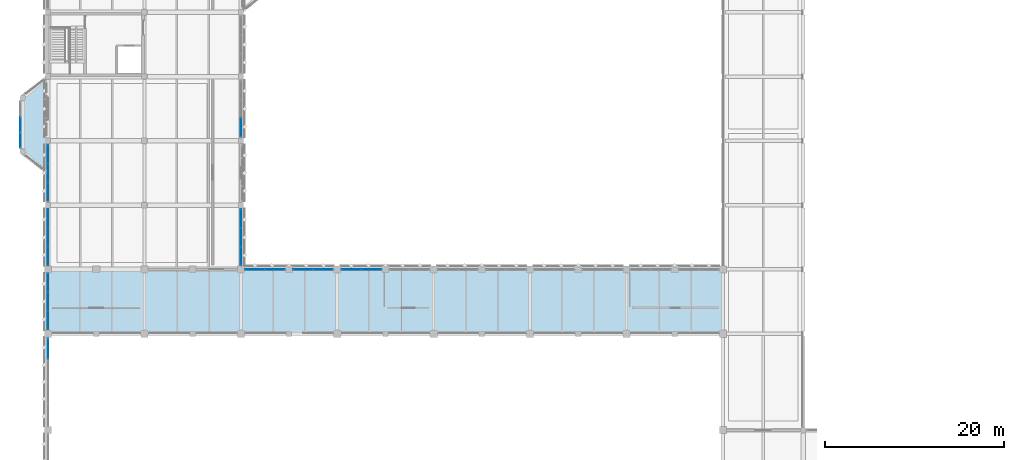
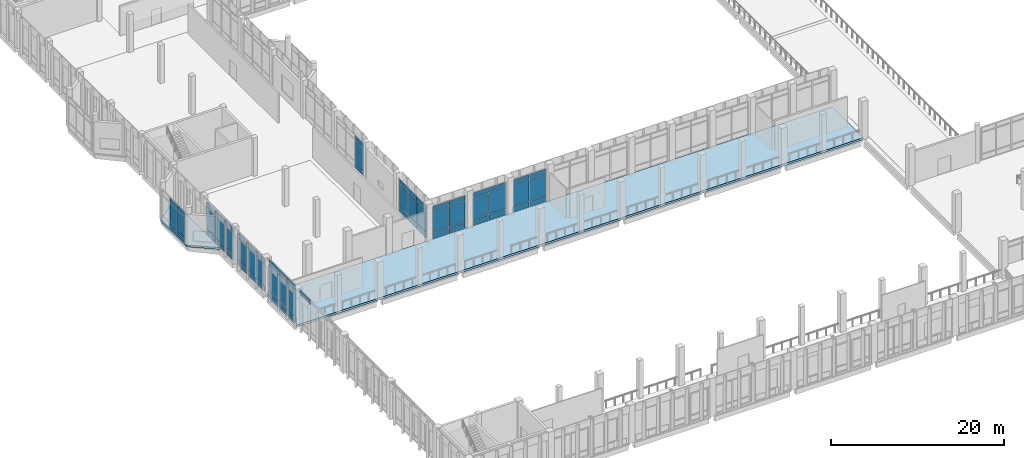
# One storey, part 140 of 180: 64 plates, 2 slabs, 10 elements without a shape of their own.
"""IFC4 building model written with IfcOpenShell, lengths in metres."""

from ifc_helpers import new_model, si_unit, direction, frame, origin, origin_2d, place, context, subcontext, project, spatial, polyline, rectangle, outline, extrude, material, layer, layer_set, type_object, element, aggregate, save


model = new_model("IFC4")

# Units and contexts
model_context = context("Model", 3, precision=1e-05, world=origin(), true_north=direction((0.0, 1.0)))
body_context = subcontext(model_context, "Body", "Model", "MODEL_VIEW")
ifc_project = project(units=[si_unit("LENGTHUNIT", "METRE"), si_unit("AREAUNIT", "SQUARE_METRE"), si_unit("VOLUMEUNIT", "CUBIC_METRE"), si_unit("PLANEANGLEUNIT", "RADIAN"), si_unit("MASSUNIT", "GRAM", prefix="KILO")], contexts=[model_context])

# Site, building, storey
site_placement = place(None, origin())
site = spatial("IfcSite", under=ifc_project, at=site_placement, CompositionType="ELEMENT")
building_placement = place(site_placement, origin())
building = spatial("IfcBuilding", under=site, at=building_placement, Name="Lusvemor Sports Hall", CompositionType="ELEMENT")
storey_placement = place(building_placement, frame((0.0, 0.0, 5.39990234375)))
storey = spatial("IfcBuildingStorey", under=building, at=storey_placement, Name="L01", CompositionType="ELEMENT", Elevation=5.39990234375)

# Curtain wall, plates
ifc_material_1 = material(Name="Thermally broken bronze-anodized aluminium", Category="aluminium")
curtain_wall_type_1 = type_object("IfcCurtainWallType", Name="CW_COURT_C", PredefinedType="NOTDEFINED", material=ifc_material_1)
curtain_wall_1_placement = place(storey_placement, origin())
curtain_wall_1 = element("IfcCurtainWall", 1, at=curtain_wall_1_placement, inside=storey, type_object=curtain_wall_type_1, Name="Curtain Wall CW-V1N-L01-2-A", PredefinedType="NOTDEFINED")
ifc_material_2 = material(Name="Solar-control laminated double glazing", Category="glass")
ifc_layer_1 = layer(ifc_material_2, 0.028076171875)
ifc_layer_set_1 = layer_set([ifc_layer_1], Name="Solar-control laminated double glazing")
plate_type_1 = type_object("IfcPlateType", Name="CW_PAN_GLZ_28", PredefinedType="CURTAIN_PANEL", material=ifc_layer_set_1)
plate_1_placement = place(storey_placement, frame((23.18115234375, 46.800048828125, 0.880126953125), z_axis=(0.0, 0.0, 1.0), x_axis=(1.0, 0.0, 0.0)))
plate_1 = element("IfcPlate", 2, at=plate_1_placement, type_object=plate_type_1, Name="CW03 panel 1.2", PredefinedType="CURTAIN_PANEL", context=body_context, shape_type="SweptSolid", body=[
    extrude(rectangle(XDim=2.172607421875, YDim=0.028076171875, at=origin_2d()), origin(), (0.0, 0.0, 1.0), 3.0400390625),
])
plate_2_placement = place(storey_placement, frame((23.18115234375, 46.800048828125, 3.97998046875), z_axis=(0.0, 0.0, 1.0), x_axis=(1.0, 0.0, 0.0)))
plate_2 = element("IfcPlate", 3, at=plate_2_placement, type_object=plate_type_1, Name="CW03 panel 1.3", PredefinedType="CURTAIN_PANEL", context=body_context, shape_type="SweptSolid", body=[
    extrude(rectangle(XDim=2.172607421875, YDim=0.028076171875, at=origin_2d()), origin(), (0.0, 0.0, 1.0), 0.659912109375),
])
plate_3_placement = place(storey_placement, frame((25.418701171875, 46.800048828125, 0.880126953125), z_axis=(0.0, 0.0, 1.0), x_axis=(1.0, 0.0, 0.0)))
plate_3 = element("IfcPlate", 4, at=plate_3_placement, type_object=plate_type_1, Name="CW03 panel 2.2", PredefinedType="CURTAIN_PANEL", context=body_context, shape_type="SweptSolid", body=[
    extrude(rectangle(XDim=2.172607421875, YDim=0.028076171875, at=origin_2d()), origin(), (0.0, 0.0, 1.0), 3.0400390625),
])
plate_4_placement = place(storey_placement, frame((25.418701171875, 46.800048828125, 3.97998046875), z_axis=(0.0, 0.0, 1.0), x_axis=(1.0, 0.0, 0.0)))
plate_4 = element("IfcPlate", 5, at=plate_4_placement, type_object=plate_type_1, Name="CW03 panel 2.3", PredefinedType="CURTAIN_PANEL", context=body_context, shape_type="SweptSolid", body=[
    extrude(rectangle(XDim=2.172607421875, YDim=0.028076171875, at=origin_2d()), origin(), (0.0, 0.0, 1.0), 0.659912109375),
])

curtain_wall_2_placement = place(storey_placement, origin())
curtain_wall_2 = element("IfcCurtainWall", 6, at=curtain_wall_2_placement, inside=storey, type_object=curtain_wall_type_1, Name="Curtain Wall CW-V1N-L01-2-B", PredefinedType="NOTDEFINED")
plate_5_placement = place(storey_placement, frame((28.581298828125, 46.800048828125, 0.880126953125), z_axis=(0.0, 0.0, 1.0), x_axis=(1.0, 0.0, 0.0)))
plate_5 = element("IfcPlate", 7, at=plate_5_placement, type_object=plate_type_1, Name="CW03 panel 1.2", PredefinedType="CURTAIN_PANEL", context=body_context, shape_type="SweptSolid", body=[
    extrude(rectangle(XDim=2.172607421875, YDim=0.028076171875, at=origin_2d()), origin(), (0.0, 0.0, 1.0), 3.0400390625),
])
plate_6_placement = place(storey_placement, frame((28.581298828125, 46.800048828125, 3.97998046875), z_axis=(0.0, 0.0, 1.0), x_axis=(1.0, 0.0, 0.0)))
plate_6 = element("IfcPlate", 8, at=plate_6_placement, type_object=plate_type_1, Name="CW03 panel 1.3", PredefinedType="CURTAIN_PANEL", context=body_context, shape_type="SweptSolid", body=[
    extrude(rectangle(XDim=2.172607421875, YDim=0.028076171875, at=origin_2d()), origin(), (0.0, 0.0, 1.0), 0.659912109375),
])
plate_7_placement = place(storey_placement, frame((30.81884765625, 46.800048828125, 0.880126953125), z_axis=(0.0, 0.0, 1.0), x_axis=(1.0, 0.0, 0.0)))
plate_7 = element("IfcPlate", 9, at=plate_7_placement, type_object=plate_type_1, Name="CW03 panel 2.2", PredefinedType="CURTAIN_PANEL", context=body_context, shape_type="SweptSolid", body=[
    extrude(rectangle(XDim=2.172607421875, YDim=0.028076171875, at=origin_2d()), origin(), (0.0, 0.0, 1.0), 3.0400390625),
])
plate_8_placement = place(storey_placement, frame((30.81884765625, 46.800048828125, 3.97998046875), z_axis=(0.0, 0.0, 1.0), x_axis=(1.0, 0.0, 0.0)))
plate_8 = element("IfcPlate", 10, at=plate_8_placement, type_object=plate_type_1, Name="CW03 panel 2.3", PredefinedType="CURTAIN_PANEL", context=body_context, shape_type="SweptSolid", body=[
    extrude(rectangle(XDim=2.172607421875, YDim=0.028076171875, at=origin_2d()), origin(), (0.0, 0.0, 1.0), 0.659912109375),
])

curtain_wall_3_placement = place(storey_placement, origin())
curtain_wall_3 = element("IfcCurtainWall", 11, at=curtain_wall_3_placement, inside=storey, type_object=curtain_wall_type_1, Name="Curtain Wall CW-V1N-L01-3-A", PredefinedType="NOTDEFINED")
plate_9_placement = place(storey_placement, frame((33.981201171875, 46.800048828125, 0.880126953125), z_axis=(0.0, 0.0, 1.0), x_axis=(1.0, 0.0, 0.0)))
plate_9 = element("IfcPlate", 12, at=plate_9_placement, type_object=plate_type_1, Name="CW03 panel 1.2", PredefinedType="CURTAIN_PANEL", context=body_context, shape_type="SweptSolid", body=[
    extrude(rectangle(XDim=2.172607421875, YDim=0.028076171875, at=origin_2d()), origin(), (0.0, 0.0, 1.0), 3.0400390625),
])
plate_10_placement = place(storey_placement, frame((33.981201171875, 46.800048828125, 3.97998046875), z_axis=(0.0, 0.0, 1.0), x_axis=(1.0, 0.0, 0.0)))
plate_10 = element("IfcPlate", 13, at=plate_10_placement, type_object=plate_type_1, Name="CW03 panel 1.3", PredefinedType="CURTAIN_PANEL", context=body_context, shape_type="SweptSolid", body=[
    extrude(rectangle(XDim=2.172607421875, YDim=0.028076171875, at=origin_2d()), origin(), (0.0, 0.0, 1.0), 0.659912109375),
])
plate_11_placement = place(storey_placement, frame((36.21875, 46.800048828125, 0.880126953125), z_axis=(0.0, 0.0, 1.0), x_axis=(1.0, 0.0, 0.0)))
plate_11 = element("IfcPlate", 14, at=plate_11_placement, type_object=plate_type_1, Name="CW03 panel 2.2", PredefinedType="CURTAIN_PANEL", context=body_context, shape_type="SweptSolid", body=[
    extrude(rectangle(XDim=2.172607421875, YDim=0.028076171875, at=origin_2d()), origin(), (0.0, 0.0, 1.0), 3.0400390625),
])
plate_12_placement = place(storey_placement, frame((36.21875, 46.800048828125, 3.97998046875), z_axis=(0.0, 0.0, 1.0), x_axis=(1.0, 0.0, 0.0)))
plate_12 = element("IfcPlate", 15, at=plate_12_placement, type_object=plate_type_1, Name="CW03 panel 2.3", PredefinedType="CURTAIN_PANEL", context=body_context, shape_type="SweptSolid", body=[
    extrude(rectangle(XDim=2.172607421875, YDim=0.028076171875, at=origin_2d()), origin(), (0.0, 0.0, 1.0), 0.659912109375),
])

# Curtain wall, plate
curtain_wall_4_placement = place(storey_placement, origin())
curtain_wall_4 = element("IfcCurtainWall", 16, at=curtain_wall_4_placement, inside=storey, type_object=curtain_wall_type_1, Name="Curtain Wall CW-V1W-L01-4", PredefinedType="NOTDEFINED")
plate_13_placement = place(storey_placement, frame((0.0, 37.909912109375, 4.63232421875), z_axis=(0.0, 0.0, 1.0), x_axis=(0.0, 1.0, 0.0)))
plate_13 = element("IfcPlate", 17, at=plate_13_placement, type_object=plate_type_1, Name="CW03 panel 4.3", PredefinedType="CURTAIN_PANEL", context=body_context, shape_type="SweptSolid", body=[
    extrude(rectangle(XDim=2.3798828125, YDim=0.028076171875, at=origin_2d()), origin(), (0.0, 0.0, 1.0), 0.652587890625),
])
aggregate(curtain_wall_4, [plate_13])

# Curtain wall, plates
curtain_wall_5_placement = place(storey_placement, origin())
curtain_wall_5 = element("IfcCurtainWall", 18, at=curtain_wall_5_placement, inside=storey, type_object=curtain_wall_type_1, Name="Curtain Wall CW-V1W-L01-5", PredefinedType="NOTDEFINED")
plate_14_placement = place(storey_placement, frame((0.0, 41.104248046875, 0.882568359375), z_axis=(0.0, 0.0, 1.0), x_axis=(0.0, 1.0, 0.0)))
plate_14 = element("IfcPlate", 19, at=plate_14_placement, type_object=plate_type_1, Name="CW03 panel 1.2", PredefinedType="CURTAIN_PANEL", context=body_context, shape_type="SweptSolid", body=[
    extrude(rectangle(XDim=2.00830078125, YDim=0.028076171875, at=origin_2d()), origin(), (0.0, 0.0, 1.0), 3.68505859375),
])
plate_15_placement = place(storey_placement, frame((0.0, 41.104248046875, 4.63232421875), z_axis=(0.0, 0.0, 1.0), x_axis=(0.0, 1.0, 0.0)))
plate_15 = element("IfcPlate", 20, at=plate_15_placement, type_object=plate_type_1, Name="CW03 panel 1.3", PredefinedType="CURTAIN_PANEL", context=body_context, shape_type="SweptSolid", body=[
    extrude(rectangle(XDim=2.00830078125, YDim=0.028076171875, at=origin_2d()), origin(), (0.0, 0.0, 1.0), 0.652587890625),
])
plate_16_placement = place(storey_placement, frame((0.0, 43.199951171875, 0.882568359375), z_axis=(0.0, 0.0, 1.0), x_axis=(0.0, 1.0, 0.0)))
plate_16 = element("IfcPlate", 21, at=plate_16_placement, type_object=plate_type_1, Name="CW03 panel 2.2", PredefinedType="CURTAIN_PANEL", context=body_context, shape_type="SweptSolid", body=[
    extrude(rectangle(XDim=2.043212890625, YDim=0.028076171875, at=origin_2d()), origin(), (0.0, 0.0, 1.0), 3.68505859375),
])
plate_17_placement = place(storey_placement, frame((0.0, 43.199951171875, 4.63232421875), z_axis=(0.0, 0.0, 1.0), x_axis=(0.0, 1.0, 0.0)))
plate_17 = element("IfcPlate", 22, at=plate_17_placement, type_object=plate_type_1, Name="CW03 panel 2.3", PredefinedType="CURTAIN_PANEL", context=body_context, shape_type="SweptSolid", body=[
    extrude(rectangle(XDim=2.043212890625, YDim=0.028076171875, at=origin_2d()), origin(), (0.0, 0.0, 1.0), 0.652587890625),
])
plate_18_placement = place(storey_placement, frame((0.0, 45.2958984375, 0.882568359375), z_axis=(0.0, 0.0, 1.0), x_axis=(0.0, 1.0, 0.0)))
plate_18 = element("IfcPlate", 23, at=plate_18_placement, type_object=plate_type_1, Name="CW03 panel 3.2", PredefinedType="CURTAIN_PANEL", context=body_context, shape_type="SweptSolid", body=[
    extrude(rectangle(XDim=2.00830078125, YDim=0.028076171875, at=origin_2d()), origin(), (0.0, 0.0, 1.0), 3.68505859375),
])
plate_19_placement = place(storey_placement, frame((0.0, 45.2958984375, 4.63232421875), z_axis=(0.0, 0.0, 1.0), x_axis=(0.0, 1.0, 0.0)))
plate_19 = element("IfcPlate", 24, at=plate_19_placement, type_object=plate_type_1, Name="CW03 panel 3.3", PredefinedType="CURTAIN_PANEL", context=body_context, shape_type="SweptSolid", body=[
    extrude(rectangle(XDim=2.00830078125, YDim=0.028076171875, at=origin_2d()), origin(), (0.0, 0.0, 1.0), 0.652587890625),
])

ifc_material_3 = material(Name="Thermally broken bronze-anodized aluminium", Category="aluminium")
curtain_wall_type_2 = type_object("IfcCurtainWallType", Name="CW_WING_B", PredefinedType="NOTDEFINED", material=ifc_material_3)
curtain_wall_6_placement = place(storey_placement, origin())
curtain_wall_6 = element("IfcCurtainWall", 25, at=curtain_wall_6_placement, inside=storey, type_object=curtain_wall_type_2, Name="Curtain Wall CW-L01-W-0-0", PredefinedType="NOTDEFINED")
plate_20_placement = place(storey_placement, frame((0.0, 48.296142578125, 0.880126953125), z_axis=(0.0, 0.0, 1.0), x_axis=(0.0, 1.0, 0.0)))
plate_20 = element("IfcPlate", 26, at=plate_20_placement, type_object=plate_type_1, Name="CW02 panel 1.2", PredefinedType="CURTAIN_PANEL", context=body_context, shape_type="SweptSolid", body=[
    extrude(rectangle(XDim=2.0224609375, YDim=0.028076171875, at=origin_2d()), origin(), (0.0, 0.0, 1.0), 3.06005859375),
])
plate_21_placement = place(storey_placement, frame((0.0, 48.296142578125, 4.0), z_axis=(0.0, 0.0, 1.0), x_axis=(0.0, 1.0, 0.0)))
plate_21 = element("IfcPlate", 27, at=plate_21_placement, type_object=plate_type_1, Name="CW02 panel 1.3", PredefinedType="CURTAIN_PANEL", context=body_context, shape_type="SweptSolid", body=[
    extrude(rectangle(XDim=2.0224609375, YDim=0.028076171875, at=origin_2d()), origin(), (0.0, 0.0, 1.0), 0.659912109375),
])
plate_22_placement = place(storey_placement, frame((0.0, 50.39990234375, 0.880126953125), z_axis=(0.0, 0.0, 1.0), x_axis=(0.0, 1.0, 0.0)))
plate_22 = element("IfcPlate", 28, at=plate_22_placement, type_object=plate_type_1, Name="CW02 panel 2.2", PredefinedType="CURTAIN_PANEL", context=body_context, shape_type="SweptSolid", body=[
    extrude(rectangle(XDim=2.054931640625, YDim=0.028076171875, at=origin_2d()), origin(), (0.0, 0.0, 1.0), 3.06005859375),
])
plate_23_placement = place(storey_placement, frame((0.0, 50.39990234375, 4.0), z_axis=(0.0, 0.0, 1.0), x_axis=(0.0, 1.0, 0.0)))
plate_23 = element("IfcPlate", 29, at=plate_23_placement, type_object=plate_type_1, Name="CW02 panel 2.3", PredefinedType="CURTAIN_PANEL", context=body_context, shape_type="SweptSolid", body=[
    extrude(rectangle(XDim=2.054931640625, YDim=0.028076171875, at=origin_2d()), origin(), (0.0, 0.0, 1.0), 0.659912109375),
])
plate_24_placement = place(storey_placement, frame((0.0, 52.503662109375, 0.880126953125), z_axis=(0.0, 0.0, 1.0), x_axis=(0.0, 1.0, 0.0)))
plate_24 = element("IfcPlate", 30, at=plate_24_placement, type_object=plate_type_1, Name="CW02 panel 3.2", PredefinedType="CURTAIN_PANEL", context=body_context, shape_type="SweptSolid", body=[
    extrude(rectangle(XDim=2.0224609375, YDim=0.028076171875, at=origin_2d()), origin(), (0.0, 0.0, 1.0), 3.06005859375),
])
plate_25_placement = place(storey_placement, frame((0.0, 52.503662109375, 4.0), z_axis=(0.0, 0.0, 1.0), x_axis=(0.0, 1.0, 0.0)))
plate_25 = element("IfcPlate", 31, at=plate_25_placement, type_object=plate_type_1, Name="CW02 panel 3.3", PredefinedType="CURTAIN_PANEL", context=body_context, shape_type="SweptSolid", body=[
    extrude(rectangle(XDim=2.0224609375, YDim=0.028076171875, at=origin_2d()), origin(), (0.0, 0.0, 1.0), 0.659912109375),
])

curtain_wall_7_placement = place(storey_placement, origin())
curtain_wall_7 = element("IfcCurtainWall", 32, at=curtain_wall_7_placement, inside=storey, type_object=curtain_wall_type_2, Name="Curtain Wall CW-L01-W-0-1", PredefinedType="NOTDEFINED")
plate_26_placement = place(storey_placement, frame((0.0, 55.496337890625, 0.880126953125), z_axis=(0.0, 0.0, 1.0), x_axis=(0.0, 1.0, 0.0)))
plate_26 = element("IfcPlate", 33, at=plate_26_placement, type_object=plate_type_1, Name="CW02 panel 1.2", PredefinedType="CURTAIN_PANEL", context=body_context, shape_type="SweptSolid", body=[
    extrude(rectangle(XDim=2.0224609375, YDim=0.028076171875, at=origin_2d()), origin(), (0.0, 0.0, 1.0), 3.06005859375),
])
plate_27_placement = place(storey_placement, frame((0.0, 55.496337890625, 4.0), z_axis=(0.0, 0.0, 1.0), x_axis=(0.0, 1.0, 0.0)))
plate_27 = element("IfcPlate", 34, at=plate_27_placement, type_object=plate_type_1, Name="CW02 panel 1.3", PredefinedType="CURTAIN_PANEL", context=body_context, shape_type="SweptSolid", body=[
    extrude(rectangle(XDim=2.0224609375, YDim=0.028076171875, at=origin_2d()), origin(), (0.0, 0.0, 1.0), 0.659912109375),
])
plate_28_placement = place(storey_placement, frame((0.0, 57.60009765625, 0.880126953125), z_axis=(0.0, 0.0, 1.0), x_axis=(0.0, 1.0, 0.0)))
plate_28 = element("IfcPlate", 35, at=plate_28_placement, type_object=plate_type_1, Name="CW02 panel 2.2", PredefinedType="CURTAIN_PANEL", context=body_context, shape_type="SweptSolid", body=[
    extrude(rectangle(XDim=2.054931640625, YDim=0.028076171875, at=origin_2d()), origin(), (0.0, 0.0, 1.0), 3.06005859375),
])
plate_29_placement = place(storey_placement, frame((0.0, 57.60009765625, 4.0), z_axis=(0.0, 0.0, 1.0), x_axis=(0.0, 1.0, 0.0)))
plate_29 = element("IfcPlate", 36, at=plate_29_placement, type_object=plate_type_1, Name="CW02 panel 2.3", PredefinedType="CURTAIN_PANEL", context=body_context, shape_type="SweptSolid", body=[
    extrude(rectangle(XDim=2.054931640625, YDim=0.028076171875, at=origin_2d()), origin(), (0.0, 0.0, 1.0), 0.659912109375),
])
plate_30_placement = place(storey_placement, frame((0.0, 59.703857421875, 0.880126953125), z_axis=(0.0, 0.0, 1.0), x_axis=(0.0, 1.0, 0.0)))
plate_30 = element("IfcPlate", 37, at=plate_30_placement, type_object=plate_type_1, Name="CW02 panel 3.2", PredefinedType="CURTAIN_PANEL", context=body_context, shape_type="SweptSolid", body=[
    extrude(rectangle(XDim=2.0224609375, YDim=0.028076171875, at=origin_2d()), origin(), (0.0, 0.0, 1.0), 3.06005859375),
])
plate_31_placement = place(storey_placement, frame((0.0, 59.703857421875, 4.0), z_axis=(0.0, 0.0, 1.0), x_axis=(0.0, 1.0, 0.0)))
plate_31 = element("IfcPlate", 38, at=plate_31_placement, type_object=plate_type_1, Name="CW02 panel 3.3", PredefinedType="CURTAIN_PANEL", context=body_context, shape_type="SweptSolid", body=[
    extrude(rectangle(XDim=2.0224609375, YDim=0.028076171875, at=origin_2d()), origin(), (0.0, 0.0, 1.0), 0.659912109375),
])

curtain_wall_8_placement = place(storey_placement, origin())
curtain_wall_8 = element("IfcCurtainWall", 39, at=curtain_wall_8_placement, inside=storey, type_object=curtain_wall_type_2, Name="Curtain Wall CW-L01-E-4-0", PredefinedType="NOTDEFINED")
plate_32_placement = place(storey_placement, frame((21.60009765625, 52.503662109375, 0.880126953125), z_axis=(0.0, 0.0, 1.0), x_axis=(0.0, -1.0, 0.0)))
plate_32 = element("IfcPlate", 40, at=plate_32_placement, type_object=plate_type_1, Name="CW02 panel 1.2", PredefinedType="CURTAIN_PANEL", context=body_context, shape_type="SweptSolid", body=[
    extrude(rectangle(XDim=2.0224609375, YDim=0.028076171875, at=origin_2d()), origin(), (0.0, 0.0, 1.0), 3.06005859375),
])
plate_33_placement = place(storey_placement, frame((21.60009765625, 52.503662109375, 4.0), z_axis=(0.0, 0.0, 1.0), x_axis=(0.0, -1.0, 0.0)))
plate_33 = element("IfcPlate", 41, at=plate_33_placement, type_object=plate_type_1, Name="CW02 panel 1.3", PredefinedType="CURTAIN_PANEL", context=body_context, shape_type="SweptSolid", body=[
    extrude(rectangle(XDim=2.0224609375, YDim=0.028076171875, at=origin_2d()), origin(), (0.0, 0.0, 1.0), 0.659912109375),
])
plate_34_placement = place(storey_placement, frame((21.60009765625, 50.39990234375, 0.880126953125), z_axis=(0.0, 0.0, 1.0), x_axis=(0.0, -1.0, 0.0)))
plate_34 = element("IfcPlate", 42, at=plate_34_placement, type_object=plate_type_1, Name="CW02 panel 2.2", PredefinedType="CURTAIN_PANEL", context=body_context, shape_type="SweptSolid", body=[
    extrude(rectangle(XDim=2.054931640625, YDim=0.028076171875, at=origin_2d()), origin(), (0.0, 0.0, 1.0), 3.06005859375),
])
plate_35_placement = place(storey_placement, frame((21.60009765625, 50.39990234375, 4.0), z_axis=(0.0, 0.0, 1.0), x_axis=(0.0, -1.0, 0.0)))
plate_35 = element("IfcPlate", 43, at=plate_35_placement, type_object=plate_type_1, Name="CW02 panel 2.3", PredefinedType="CURTAIN_PANEL", context=body_context, shape_type="SweptSolid", body=[
    extrude(rectangle(XDim=2.054931640625, YDim=0.028076171875, at=origin_2d()), origin(), (0.0, 0.0, 1.0), 0.659912109375),
])
plate_36_placement = place(storey_placement, frame((21.60009765625, 48.296142578125, 0.880126953125), z_axis=(0.0, 0.0, 1.0), x_axis=(0.0, -1.0, 0.0)))
plate_36 = element("IfcPlate", 44, at=plate_36_placement, type_object=plate_type_1, Name="CW02 panel 3.2", PredefinedType="CURTAIN_PANEL", context=body_context, shape_type="SweptSolid", body=[
    extrude(rectangle(XDim=2.0224609375, YDim=0.028076171875, at=origin_2d()), origin(), (0.0, 0.0, 1.0), 3.06005859375),
])
plate_37_placement = place(storey_placement, frame((21.60009765625, 48.296142578125, 4.0), z_axis=(0.0, 0.0, 1.0), x_axis=(0.0, -1.0, 0.0)))
plate_37 = element("IfcPlate", 45, at=plate_37_placement, type_object=plate_type_1, Name="CW02 panel 3.3", PredefinedType="CURTAIN_PANEL", context=body_context, shape_type="SweptSolid", body=[
    extrude(rectangle(XDim=2.0224609375, YDim=0.028076171875, at=origin_2d()), origin(), (0.0, 0.0, 1.0), 0.659912109375),
])

curtain_wall_9_placement = place(storey_placement, origin())
curtain_wall_9 = element("IfcCurtainWall", 46, at=curtain_wall_9_placement, inside=storey, type_object=curtain_wall_type_2, Name="Curtain Wall CW-L01-E-4-2", PredefinedType="NOTDEFINED")
plate_38_placement = place(storey_placement, frame((21.60009765625, 62.6962890625, 0.880126953125), z_axis=(0.0, 0.0, 1.0), x_axis=(0.0, -1.0, 0.0)))
plate_38 = element("IfcPlate", 47, at=plate_38_placement, type_object=plate_type_1, Name="CW02 panel 3.2", PredefinedType="CURTAIN_PANEL", context=body_context, shape_type="SweptSolid", body=[
    extrude(rectangle(XDim=2.0224609375, YDim=0.028076171875, at=origin_2d()), origin(), (0.0, 0.0, 1.0), 3.06005859375),
])
plate_39_placement = place(storey_placement, frame((21.60009765625, 62.6962890625, 4.0), z_axis=(0.0, 0.0, 1.0), x_axis=(0.0, -1.0, 0.0)))
plate_39 = element("IfcPlate", 48, at=plate_39_placement, type_object=plate_type_1, Name="CW02 panel 3.3", PredefinedType="CURTAIN_PANEL", context=body_context, shape_type="SweptSolid", body=[
    extrude(rectangle(XDim=2.0224609375, YDim=0.028076171875, at=origin_2d()), origin(), (0.0, 0.0, 1.0), 0.659912109375),
])

ifc_material_4 = material(Name="Thermally broken bronze-anodized aluminium", Category="aluminium")
curtain_wall_type_3 = type_object("IfcCurtainWallType", Name="CW_FOYER_A", PredefinedType="NOTDEFINED", material=ifc_material_4)
curtain_wall_10_placement = place(storey_placement, origin())
curtain_wall_10 = element("IfcCurtainWall", 49, at=curtain_wall_10_placement, inside=storey, type_object=curtain_wall_type_3, Name="Curtain Wall CW-BOW-W1-L01-M", PredefinedType="NOTDEFINED")
plate_40_placement = place(storey_placement, frame((-3.10009765625, 61.250732421875, 0.882568359375), z_axis=(0.0, 0.0, 1.0), x_axis=(0.0, 1.0, 0.0)))
plate_40 = element("IfcPlate", 50, at=plate_40_placement, type_object=plate_type_1, Name="CW01 panel 1.2", PredefinedType="CURTAIN_PANEL", context=body_context, shape_type="SweptSolid", body=[
    extrude(rectangle(XDim=1.66162109375, YDim=0.028076171875, at=origin_2d()), origin(), (0.0, 0.0, 1.0), 2.81494140625),
])
plate_41_placement = place(storey_placement, frame((-3.10009765625, 61.250732421875, 3.7626953125), z_axis=(0.0, 0.0, 1.0), x_axis=(0.0, 1.0, 0.0)))
plate_41 = element("IfcPlate", 51, at=plate_41_placement, type_object=plate_type_1, Name="CW01 panel 1.3", PredefinedType="CURTAIN_PANEL", context=body_context, shape_type="SweptSolid", body=[
    extrude(rectangle(XDim=1.66162109375, YDim=0.028076171875, at=origin_2d()), origin(), (0.0, 0.0, 1.0), 0.652587890625),
])
plate_42_placement = place(storey_placement, frame((-3.10009765625, 63.0, 0.882568359375), z_axis=(0.0, 0.0, 1.0), x_axis=(0.0, 1.0, 0.0)))
plate_42 = element("IfcPlate", 52, at=plate_42_placement, type_object=plate_type_1, Name="CW01 panel 2.2", PredefinedType="CURTAIN_PANEL", context=body_context, shape_type="SweptSolid", body=[
    extrude(rectangle(XDim=1.69677734375, YDim=0.028076171875, at=origin_2d()), origin(), (0.0, 0.0, 1.0), 2.81494140625),
])
plate_43_placement = place(storey_placement, frame((-3.10009765625, 63.0, 3.7626953125), z_axis=(0.0, 0.0, 1.0), x_axis=(0.0, 1.0, 0.0)))
plate_43 = element("IfcPlate", 53, at=plate_43_placement, type_object=plate_type_1, Name="CW01 panel 2.3", PredefinedType="CURTAIN_PANEL", context=body_context, shape_type="SweptSolid", body=[
    extrude(rectangle(XDim=1.69677734375, YDim=0.028076171875, at=origin_2d()), origin(), (0.0, 0.0, 1.0), 0.652587890625),
])

# Plate
ifc_material_5 = material(Name="Emerald polychrome glazed ceramic cladding on Concrete C40/50 backing", Category="concrete")
ifc_layer_2 = layer(ifc_material_5, 0.048095703125)
ifc_layer_set_2 = layer_set([ifc_layer_2], Name="Emerald polychrome glazed ceramic cladding on Concrete C40/50 backing")
plate_type_2 = type_object("IfcPlateType", Name="CW_PAN_SPN_48", PredefinedType="CURTAIN_PANEL", material=ifc_layer_set_2)
plate_44_placement = place(storey_placement, frame((23.18115234375, 46.800048828125, 0.06005859375), z_axis=(0.0, 0.0, 1.0), x_axis=(1.0, 0.0, 0.0)))
plate_44 = element("IfcPlate", 54, at=plate_44_placement, type_object=plate_type_2, Name="CW03 panel 1.1", PredefinedType="CURTAIN_PANEL", context=body_context, shape_type="SweptSolid", body=[
    extrude(rectangle(XDim=2.172607421875, YDim=0.048095703125, at=origin_2d()), origin(), (0.0, 0.0, 1.0), 0.760009765625),
])

plate_45_placement = place(storey_placement, frame((25.418701171875, 46.800048828125, 0.06005859375), z_axis=(0.0, 0.0, 1.0), x_axis=(1.0, 0.0, 0.0)))
plate_45 = element("IfcPlate", 55, at=plate_45_placement, type_object=plate_type_2, Name="CW03 panel 2.1", PredefinedType="CURTAIN_PANEL", context=body_context, shape_type="SweptSolid", body=[
    extrude(rectangle(XDim=2.172607421875, YDim=0.048095703125, at=origin_2d()), origin(), (0.0, 0.0, 1.0), 0.760009765625),
])

aggregate(curtain_wall_1, [plate_44, plate_1, plate_2, plate_45, plate_3, plate_4])

plate_46_placement = place(storey_placement, frame((28.581298828125, 46.800048828125, 0.06005859375), z_axis=(0.0, 0.0, 1.0), x_axis=(1.0, 0.0, 0.0)))
plate_46 = element("IfcPlate", 56, at=plate_46_placement, type_object=plate_type_2, Name="CW03 panel 1.1", PredefinedType="CURTAIN_PANEL", context=body_context, shape_type="SweptSolid", body=[
    extrude(rectangle(XDim=2.172607421875, YDim=0.048095703125, at=origin_2d()), origin(), (0.0, 0.0, 1.0), 0.760009765625),
])

plate_47_placement = place(storey_placement, frame((30.81884765625, 46.800048828125, 0.06005859375), z_axis=(0.0, 0.0, 1.0), x_axis=(1.0, 0.0, 0.0)))
plate_47 = element("IfcPlate", 57, at=plate_47_placement, type_object=plate_type_2, Name="CW03 panel 2.1", PredefinedType="CURTAIN_PANEL", context=body_context, shape_type="SweptSolid", body=[
    extrude(rectangle(XDim=2.172607421875, YDim=0.048095703125, at=origin_2d()), origin(), (0.0, 0.0, 1.0), 0.760009765625),
])

aggregate(curtain_wall_2, [plate_46, plate_5, plate_6, plate_47, plate_7, plate_8])

plate_48_placement = place(storey_placement, frame((33.981201171875, 46.800048828125, 0.06005859375), z_axis=(0.0, 0.0, 1.0), x_axis=(1.0, 0.0, 0.0)))
plate_48 = element("IfcPlate", 58, at=plate_48_placement, type_object=plate_type_2, Name="CW03 panel 1.1", PredefinedType="CURTAIN_PANEL", context=body_context, shape_type="SweptSolid", body=[
    extrude(rectangle(XDim=2.172607421875, YDim=0.048095703125, at=origin_2d()), origin(), (0.0, 0.0, 1.0), 0.760009765625),
])

plate_49_placement = place(storey_placement, frame((36.21875, 46.800048828125, 0.06005859375), z_axis=(0.0, 0.0, 1.0), x_axis=(1.0, 0.0, 0.0)))
plate_49 = element("IfcPlate", 59, at=plate_49_placement, type_object=plate_type_2, Name="CW03 panel 2.1", PredefinedType="CURTAIN_PANEL", context=body_context, shape_type="SweptSolid", body=[
    extrude(rectangle(XDim=2.172607421875, YDim=0.048095703125, at=origin_2d()), origin(), (0.0, 0.0, 1.0), 0.760009765625),
])

aggregate(curtain_wall_3, [plate_48, plate_9, plate_10, plate_49, plate_11, plate_12])

plate_50_placement = place(storey_placement, frame((0.0, 41.104248046875, 0.065185546875), z_axis=(0.0, 0.0, 1.0), x_axis=(0.0, 1.0, 0.0)))
plate_50 = element("IfcPlate", 60, at=plate_50_placement, type_object=plate_type_2, Name="CW03 panel 1.1", PredefinedType="CURTAIN_PANEL", context=body_context, shape_type="SweptSolid", body=[
    extrude(rectangle(XDim=2.00830078125, YDim=0.048095703125, at=origin_2d()), origin(), (0.0, 0.0, 1.0), 0.75244140625),
])

plate_51_placement = place(storey_placement, frame((0.0, 43.199951171875, 0.065185546875), z_axis=(0.0, 0.0, 1.0), x_axis=(0.0, 1.0, 0.0)))
plate_51 = element("IfcPlate", 61, at=plate_51_placement, type_object=plate_type_2, Name="CW03 panel 2.1", PredefinedType="CURTAIN_PANEL", context=body_context, shape_type="SweptSolid", body=[
    extrude(rectangle(XDim=2.043212890625, YDim=0.048095703125, at=origin_2d()), origin(), (0.0, 0.0, 1.0), 0.75244140625),
])

plate_52_placement = place(storey_placement, frame((0.0, 45.2958984375, 0.065185546875), z_axis=(0.0, 0.0, 1.0), x_axis=(0.0, 1.0, 0.0)))
plate_52 = element("IfcPlate", 62, at=plate_52_placement, type_object=plate_type_2, Name="CW03 panel 3.1", PredefinedType="CURTAIN_PANEL", context=body_context, shape_type="SweptSolid", body=[
    extrude(rectangle(XDim=2.00830078125, YDim=0.048095703125, at=origin_2d()), origin(), (0.0, 0.0, 1.0), 0.75244140625),
])

aggregate(curtain_wall_5, [plate_50, plate_14, plate_15, plate_51, plate_16, plate_17, plate_52, plate_18, plate_19])

plate_53_placement = place(storey_placement, frame((0.0, 48.296142578125, 0.06005859375), z_axis=(0.0, 0.0, 1.0), x_axis=(0.0, 1.0, 0.0)))
plate_53 = element("IfcPlate", 63, at=plate_53_placement, type_object=plate_type_2, Name="CW02 panel 1.1", PredefinedType="CURTAIN_PANEL", context=body_context, shape_type="SweptSolid", body=[
    extrude(rectangle(XDim=2.0224609375, YDim=0.048095703125, at=origin_2d()), origin(), (0.0, 0.0, 1.0), 0.760009765625),
])

plate_54_placement = place(storey_placement, frame((0.0, 50.39990234375, 0.06005859375), z_axis=(0.0, 0.0, 1.0), x_axis=(0.0, 1.0, 0.0)))
plate_54 = element("IfcPlate", 64, at=plate_54_placement, type_object=plate_type_2, Name="CW02 panel 2.1", PredefinedType="CURTAIN_PANEL", context=body_context, shape_type="SweptSolid", body=[
    extrude(rectangle(XDim=2.054931640625, YDim=0.048095703125, at=origin_2d()), origin(), (0.0, 0.0, 1.0), 0.760009765625),
])

plate_55_placement = place(storey_placement, frame((0.0, 52.503662109375, 0.06005859375), z_axis=(0.0, 0.0, 1.0), x_axis=(0.0, 1.0, 0.0)))
plate_55 = element("IfcPlate", 65, at=plate_55_placement, type_object=plate_type_2, Name="CW02 panel 3.1", PredefinedType="CURTAIN_PANEL", context=body_context, shape_type="SweptSolid", body=[
    extrude(rectangle(XDim=2.0224609375, YDim=0.048095703125, at=origin_2d()), origin(), (0.0, 0.0, 1.0), 0.760009765625),
])

aggregate(curtain_wall_6, [plate_53, plate_20, plate_21, plate_54, plate_22, plate_23, plate_55, plate_24, plate_25])

plate_56_placement = place(storey_placement, frame((0.0, 55.496337890625, 0.06005859375), z_axis=(0.0, 0.0, 1.0), x_axis=(0.0, 1.0, 0.0)))
plate_56 = element("IfcPlate", 66, at=plate_56_placement, type_object=plate_type_2, Name="CW02 panel 1.1", PredefinedType="CURTAIN_PANEL", context=body_context, shape_type="SweptSolid", body=[
    extrude(rectangle(XDim=2.0224609375, YDim=0.048095703125, at=origin_2d()), origin(), (0.0, 0.0, 1.0), 0.760009765625),
])

plate_57_placement = place(storey_placement, frame((0.0, 57.60009765625, 0.06005859375), z_axis=(0.0, 0.0, 1.0), x_axis=(0.0, 1.0, 0.0)))
plate_57 = element("IfcPlate", 67, at=plate_57_placement, type_object=plate_type_2, Name="CW02 panel 2.1", PredefinedType="CURTAIN_PANEL", context=body_context, shape_type="SweptSolid", body=[
    extrude(rectangle(XDim=2.054931640625, YDim=0.048095703125, at=origin_2d()), origin(), (0.0, 0.0, 1.0), 0.760009765625),
])

plate_58_placement = place(storey_placement, frame((0.0, 59.703857421875, 0.06005859375), z_axis=(0.0, 0.0, 1.0), x_axis=(0.0, 1.0, 0.0)))
plate_58 = element("IfcPlate", 68, at=plate_58_placement, type_object=plate_type_2, Name="CW02 panel 3.1", PredefinedType="CURTAIN_PANEL", context=body_context, shape_type="SweptSolid", body=[
    extrude(rectangle(XDim=2.0224609375, YDim=0.048095703125, at=origin_2d()), origin(), (0.0, 0.0, 1.0), 0.760009765625),
])

aggregate(curtain_wall_7, [plate_56, plate_26, plate_27, plate_57, plate_28, plate_29, plate_58, plate_30, plate_31])

plate_59_placement = place(storey_placement, frame((21.60009765625, 52.503662109375, 0.06005859375), z_axis=(0.0, 0.0, 1.0), x_axis=(0.0, -1.0, 0.0)))
plate_59 = element("IfcPlate", 69, at=plate_59_placement, type_object=plate_type_2, Name="CW02 panel 1.1", PredefinedType="CURTAIN_PANEL", context=body_context, shape_type="SweptSolid", body=[
    extrude(rectangle(XDim=2.0224609375, YDim=0.048095703125, at=origin_2d()), origin(), (0.0, 0.0, 1.0), 0.760009765625),
])

plate_60_placement = place(storey_placement, frame((21.60009765625, 50.39990234375, 0.06005859375), z_axis=(0.0, 0.0, 1.0), x_axis=(0.0, -1.0, 0.0)))
plate_60 = element("IfcPlate", 70, at=plate_60_placement, type_object=plate_type_2, Name="CW02 panel 2.1", PredefinedType="CURTAIN_PANEL", context=body_context, shape_type="SweptSolid", body=[
    extrude(rectangle(XDim=2.054931640625, YDim=0.048095703125, at=origin_2d()), origin(), (0.0, 0.0, 1.0), 0.760009765625),
])

plate_61_placement = place(storey_placement, frame((21.60009765625, 48.296142578125, 0.06005859375), z_axis=(0.0, 0.0, 1.0), x_axis=(0.0, -1.0, 0.0)))
plate_61 = element("IfcPlate", 71, at=plate_61_placement, type_object=plate_type_2, Name="CW02 panel 3.1", PredefinedType="CURTAIN_PANEL", context=body_context, shape_type="SweptSolid", body=[
    extrude(rectangle(XDim=2.0224609375, YDim=0.048095703125, at=origin_2d()), origin(), (0.0, 0.0, 1.0), 0.760009765625),
])

aggregate(curtain_wall_8, [plate_59, plate_32, plate_33, plate_60, plate_34, plate_35, plate_61, plate_36, plate_37])

plate_62_placement = place(storey_placement, frame((21.60009765625, 62.6962890625, 0.06005859375), z_axis=(0.0, 0.0, 1.0), x_axis=(0.0, -1.0, 0.0)))
plate_62 = element("IfcPlate", 72, at=plate_62_placement, type_object=plate_type_2, Name="CW02 panel 3.1", PredefinedType="CURTAIN_PANEL", context=body_context, shape_type="SweptSolid", body=[
    extrude(rectangle(XDim=2.0224609375, YDim=0.048095703125, at=origin_2d()), origin(), (0.0, 0.0, 1.0), 0.760009765625),
])

aggregate(curtain_wall_9, [plate_62, plate_38, plate_39])

plate_63_placement = place(storey_placement, frame((-3.10009765625, 61.250732421875, 0.065185546875), z_axis=(0.0, 0.0, 1.0), x_axis=(0.0, 1.0, 0.0)))
plate_63 = element("IfcPlate", 73, at=plate_63_placement, type_object=plate_type_2, Name="CW01 panel 1.1", PredefinedType="CURTAIN_PANEL", context=body_context, shape_type="SweptSolid", body=[
    extrude(rectangle(XDim=1.66162109375, YDim=0.048095703125, at=origin_2d()), origin(), (0.0, 0.0, 1.0), 0.75244140625),
])

plate_64_placement = place(storey_placement, frame((-3.10009765625, 63.0, 0.065185546875), z_axis=(0.0, 0.0, 1.0), x_axis=(0.0, 1.0, 0.0)))
plate_64 = element("IfcPlate", 74, at=plate_64_placement, type_object=plate_type_2, Name="CW01 panel 2.1", PredefinedType="CURTAIN_PANEL", context=body_context, shape_type="SweptSolid", body=[
    extrude(rectangle(XDim=1.69677734375, YDim=0.048095703125, at=origin_2d()), origin(), (0.0, 0.0, 1.0), 0.75244140625),
])

aggregate(curtain_wall_10, [plate_63, plate_40, plate_41, plate_64, plate_42, plate_43])

# Slabs
ifc_material_6 = material(Name="Concrete C40/50", Category="concrete")
ifc_layer_3 = layer(ifc_material_6, 0.260009765625)
ifc_layer_set_3 = layer_set([ifc_layer_3], Name="Concrete C40/50")
slab_type_1 = type_object("IfcSlabType", Name="SLAB_INT_260", PredefinedType="FLOOR", material=ifc_layer_set_3)
slab_1_placement = place(storey_placement, frame((0.0, 0.0, -0.260009765625)))
element("IfcSlab", 75, at=slab_1_placement, inside=storey, type_object=slab_type_1, Name="Bow Pavilion Slab BOW-W1 (L01)", PredefinedType="FLOOR", context=body_context, shape_type="SweptSolid", body=[
    extrude(outline(polyline([(0.0, 57.60009765625), (-3.10009765625, 60.0), (-3.10009765625, 66.0), (0.0, 68.39990234375), (0.0, 57.60009765625)])), origin(), (0.0, 0.0, 1.0), 0.260009765625),
])
ifc_material_7 = material(Name="Concrete C40/50", Category="concrete")
ifc_layer_4 = layer(ifc_material_7, 0.280029296875)
ifc_layer_set_4 = layer_set([ifc_layer_4], Name="Concrete C40/50")
slab_type_2 = type_object("IfcSlabType", Name="SLAB_INT_280", PredefinedType="FLOOR", material=ifc_layer_set_4)
slab_2_placement = place(storey_placement, frame((0.0, 0.0, -0.27978515625)))
element("IfcSlab", 76, at=slab_2_placement, inside=storey, type_object=slab_type_2, Name="Slab L01 V1-NAISLE", PredefinedType="FLOOR", context=body_context, shape_type="SweptSolid", body=[
    extrude(outline(polyline([(0.0, 39.60009765625), (75.60009765625, 39.60009765625), (75.60009765625, 46.800048828125), (0.0, 46.800048828125), (0.0, 39.60009765625)])), origin(), (0.0, 0.0, 1.0), 0.27978515625),
])

save(model, "model.ifc")
